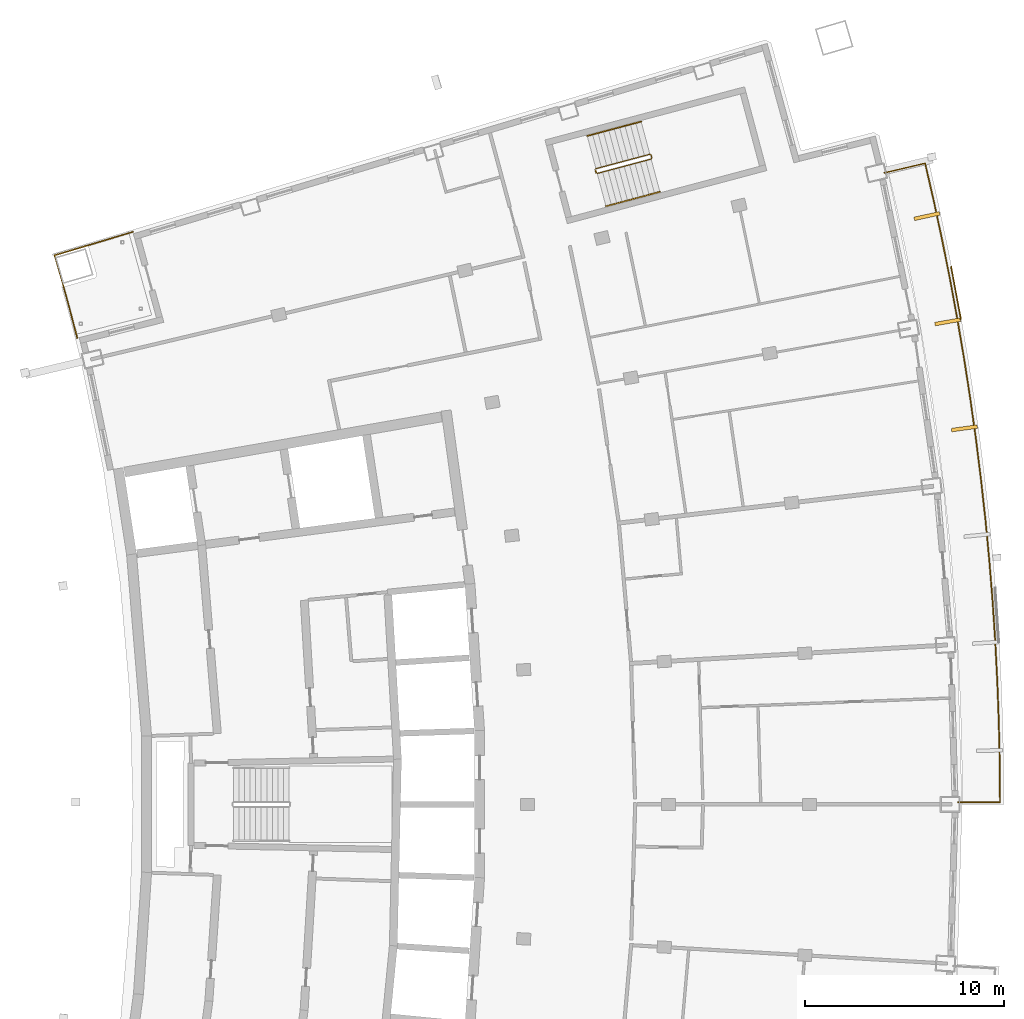
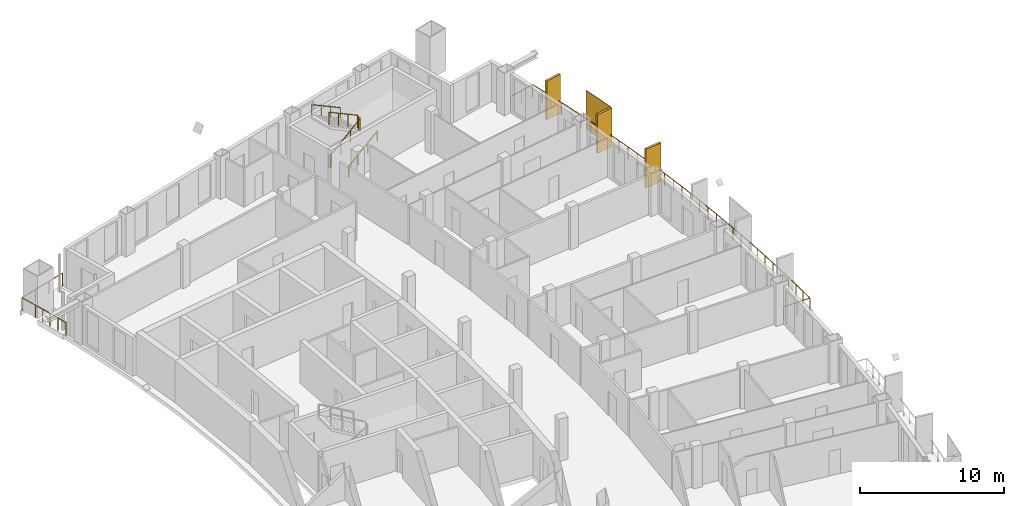
# One storey, part 15 of 15: 5 railings, 4 shading devices.
"""IFC4 building model written with IfcOpenShell, lengths in metres."""

import ifcopenshell
import ifcopenshell.guid

model = None  # the IFC model being written
_history = None  # IfcOwnerHistory: only IFC2X3 demands one
_inside = {}  # id of a spatial element -> (the spatial element, [elements in it])
_under = {}  # id of a project, library or spatial element -> (it, [spatial elements below it])
_declared = {}  # id of a project -> (the project, [libraries it declares])
_typed = {}  # id of a type object -> (the type object, [elements of that type])
_made_of = {}  # id of a material, layer set ... -> (it, [elements and type objects made of it])


def new_model(schema):
    """Start an empty IFC model of exactly this schema.

    Asked for "IFC4X3", IfcOpenShell would pick the latest addendum, in which some entities
    have other attributes; the version numbers below select the first issue.
    IFC2X3 requires an IfcOwnerHistory on every rooted entity: one is made here for all.
    """
    global model, _history
    if schema == "IFC4X3":
        model = ifcopenshell.file(schema_version=(4, 3, 0, 0))
    else:
        model = ifcopenshell.file(schema=schema)
    _inside.clear()
    _under.clear()
    _declared.clear()
    _typed.clear()
    _made_of.clear()
    _history = None
    if model.schema == "IFC2X3":
        org = make("IfcOrganization", Name="unknown")
        user = make(
            "IfcPersonAndOrganization",
            ThePerson=make("IfcPerson", FamilyName="unknown"),
            TheOrganization=org,
        )
        app = make(
            "IfcApplication",
            ApplicationDeveloper=org,
            Version="unknown",
            ApplicationFullName="unknown",
            ApplicationIdentifier="unknown",
        )
        _history = make(
            "IfcOwnerHistory",
            OwningUser=user,
            OwningApplication=app,
            ChangeAction="ADDED",
            CreationDate=0,
        )
    return model


def make(cls, **values):
    """One entity of the class cls with the attributes given. An attribute that is None is left unset."""
    return model.create_entity(
        cls, **{name: value for name, value in values.items() if value is not None}
    )


def rooted(cls, **values):
    """An entity with a GlobalId (a new one), such as an element, a storey or a relation."""
    return make(cls, GlobalId=ifcopenshell.guid.new(), OwnerHistory=_history, **values)


def si_unit(unit_type, name, prefix=None):
    """IfcSIUnit, for example si_unit("LENGTHUNIT", "METRE", prefix="MILLI")."""
    return make("IfcSIUnit", UnitType=unit_type, Prefix=prefix, Name=name)


def assignment(units):
    """IfcUnitAssignment: the units of a project."""
    return None if units is None else make("IfcUnitAssignment", Units=units)


def point(xyz):
    """IfcCartesianPoint."""
    return None if xyz is None else make("IfcCartesianPoint", Coordinates=xyz)


def direction(xyz):
    """IfcDirection."""
    return None if xyz is None else make("IfcDirection", DirectionRatios=xyz)


def frame(location, z_axis=None, x_axis=None):
    """IfcAxis2Placement3D, a coordinate frame: its origin and axes. An axis left out is left unset."""
    return make(
        "IfcAxis2Placement3D",
        Location=point(location),
        Axis=direction(z_axis),
        RefDirection=direction(x_axis),
    )


def frame_2d(location, x_axis=None):
    """IfcAxis2Placement2D, a coordinate frame in the plane: its origin and x axis."""
    return make(
        "IfcAxis2Placement2D", Location=point(location), RefDirection=direction(x_axis)
    )


def origin():
    """The frame at (0, 0, 0) with its axes left unset."""
    return frame((0.0, 0.0, 0.0))


def origin_2d():
    """The frame at (0, 0) in the plane with its x axis left unset."""
    return frame_2d((0.0, 0.0))


def place(relative_to, where):
    """IfcLocalPlacement: puts the frame where relative to a parent placement (None: the world)."""
    return make(
        "IfcLocalPlacement", PlacementRelTo=relative_to, RelativePlacement=where
    )


def context(
    kind, dimensions, precision=None, world=None, true_north=None, identifier=None
):
    """IfcGeometricRepresentationContext, for example the 3D "Model" context."""
    return make(
        "IfcGeometricRepresentationContext",
        ContextIdentifier=identifier,
        ContextType=kind,
        CoordinateSpaceDimension=dimensions,
        Precision=precision,
        WorldCoordinateSystem=world,
        TrueNorth=true_north,
    )


def subcontext(parent, identifier, kind, view, scale=None):
    """IfcGeometricRepresentationSubContext, for example "Body" below "Model"."""
    return make(
        "IfcGeometricRepresentationSubContext",
        ContextIdentifier=identifier,
        ContextType=kind,
        ParentContext=parent,
        TargetScale=scale,
        TargetView=view,
    )


def project(units=None, contexts=None):
    """IfcProject with its units and contexts."""
    return rooted(
        "IfcProject",
        Name="project",
        RepresentationContexts=contexts,
        UnitsInContext=assignment(units),
    )


def spatial(cls, under=None, at=None, **own):
    """A site, building, storey or space (cls), placed at a placement, below another one or the project."""
    s = rooted(cls, ObjectPlacement=at, **own)
    if under is not None:
        _under.setdefault(under.id(), (under, []))[1].append(s)
    return s


def profile(cls, at=None, kind="AREA", **sizes):
    """A parametric profile (cls). Its sizes go by their IFC names, for example OverallWidth=200.0."""
    return make(cls, ProfileType=kind, Position=at, **sizes)


def rectangle(**sizes):
    """IfcRectangleProfileDef."""
    return profile("IfcRectangleProfileDef", **sizes)


def extrude(swept, where, along, depth):
    """IfcExtrudedAreaSolid: the profile swept, set in the frame where, extruded along a direction by depth."""
    return make(
        "IfcExtrudedAreaSolid",
        SweptArea=swept,
        Position=where,
        ExtrudedDirection=direction(along),
        Depth=depth,
    )


def shape(context_of_items, identifier, shape_type, items):
    """IfcShapeRepresentation: the items that make up one representation, for example the "Body"."""
    return make(
        "IfcShapeRepresentation",
        ContextOfItems=context_of_items,
        RepresentationIdentifier=identifier,
        RepresentationType=shape_type,
        Items=items,
    )


def material(Name=None, Category=None):
    """IfcMaterial."""
    return make("IfcMaterial", Name=Name, Category=Category)


def layer(
    of_material, thickness, ventilated=None, Name=None, Category=None, Priority=None
):
    """IfcMaterialLayer: one layer of a wall or slab, of a material (None: an air gap)."""
    return make(
        "IfcMaterialLayer",
        Material=of_material,
        LayerThickness=thickness,
        IsVentilated=ventilated,
        Name=Name,
        Category=Category,
        Priority=Priority,
    )


def layer_set(layers, Name=None):
    """IfcMaterialLayerSet."""
    return make("IfcMaterialLayerSet", MaterialLayers=layers, LayerSetName=Name)


def made_of(thing, what):
    """Note that an element or type object is made of a material, layer set ...; save() writes the relation."""
    if what is not None:
        _made_of.setdefault(what.id(), (what, []))[1].append(thing)
    return thing


def type_object(cls, material=None, **own):
    """A type object (cls), such as IfcWallType, which elements share."""
    return made_of(rooted(cls, **own), material)


def element(
    cls,
    number,
    at=None,
    inside=None,
    cuts=None,
    type_object=None,
    material=None,
    context=None,
    identifier="Body",
    shape_type=None,
    held_by="IfcProductDefinitionShape",
    body=None,
    shapes=None,
    **own,
):
    """One element of the class cls, such as IfcWall. Its Tag is "e" and its number.

    at: its placement. inside: the storey or other place that contains it. cuts: it is an
    opening in that element (IfcRelVoidsElement). A single representation is given by context,
    identifier, shape_type and body (its items); several are given by shapes. held_by: the class
    of the entity that holds the representations. save() writes the other relations.
    """
    e = rooted(cls, Tag="e%d" % number, ObjectPlacement=at, **own)
    if body is not None:
        shapes = [shape(context, identifier, shape_type, body)]
    if shapes is not None:
        e.Representation = make(held_by, Representations=shapes)
    if inside is not None:
        _inside.setdefault(inside.id(), (inside, []))[1].append(e)
    if cuts is not None:
        rooted(
            "IfcRelVoidsElement", RelatingBuildingElement=cuts, RelatedOpeningElement=e
        )
    if type_object is not None:
        _typed.setdefault(type_object.id(), (type_object, []))[1].append(e)
    return made_of(e, material)


def aggregate(whole, parts):
    """IfcRelAggregates: a whole, such as a stair, and the parts it consists of."""
    return rooted("IfcRelAggregates", RelatingObject=whole, RelatedObjects=parts)


def save(model, path):
    """Write the relations noted so far, then the file.

    IfcRelAggregates (storeys below a building ...), IfcRelContainedInSpatialStructure (elements
    in a storey), IfcRelDefinesByType, IfcRelAssociatesMaterial and IfcRelDeclares: one each for
    every whole, place, type object, material and project.
    """
    for whole, parts in _under.values():
        aggregate(whole, parts)
    for where, things in _inside.values():
        rooted(
            "IfcRelContainedInSpatialStructure",
            RelatedElements=things,
            RelatingStructure=where,
        )
    for kind, things in _typed.values():
        rooted("IfcRelDefinesByType", RelatedObjects=things, RelatingType=kind)
    for what, things in _made_of.values():
        rooted("IfcRelAssociatesMaterial", RelatedObjects=things, RelatingMaterial=what)
    for by, libraries in _declared.values():
        rooted("IfcRelDeclares", RelatingContext=by, RelatedDefinitions=libraries)
    model.write(path)


model = new_model("IFC4")

# Units and contexts
model_context = context("Model", 3, precision=1e-05, world=origin(), true_north=direction((0.0, 1.0)))
body_context = subcontext(model_context, "Body", "Model", "MODEL_VIEW")
ifc_project = project(units=[si_unit("LENGTHUNIT", "METRE"), si_unit("AREAUNIT", "SQUARE_METRE"), si_unit("VOLUMEUNIT", "CUBIC_METRE"), si_unit("PLANEANGLEUNIT", "RADIAN"), si_unit("MASSUNIT", "GRAM", prefix="KILO")], contexts=[model_context])

# Site, building, storey
site_placement = place(None, origin())
site = spatial("IfcSite", under=ifc_project, at=site_placement, CompositionType="ELEMENT")
building_placement = place(site_placement, origin())
building = spatial("IfcBuilding", under=site, at=building_placement, Name="Alderwake Tower", CompositionType="ELEMENT")
storey_placement = place(building_placement, frame((0.0, 0.0, 252.800048828125)))
storey = spatial("IfcBuildingStorey", under=building, at=storey_placement, Name="L62", CompositionType="ELEMENT", Elevation=252.800048828125)

# Railings
ifc_material_1 = material(Name="Stainless steel 316 rail and posts", Category="steel")
railing_type_1 = type_object("IfcRailingType", Name="Balcony guard 1100", PredefinedType="GUARDRAIL", material=ifc_material_1)
railing_1_placement = place(storey_placement, frame((57.39990234375, 61.098388671875, 0.0)))
element("IfcRailing", 1, at=railing_1_placement, inside=storey, type_object=railing_type_1, Name="Guard BF07", PredefinedType="GUARDRAIL", context=body_context, shape_type="SweptSolid", body=[
    extrude(rectangle(XDim=0.048095703125, YDim=0.048095703125, at=origin_2d()), frame((0.0, 0.0, 1.076171875), z_axis=(0.999999668894, 0.000813763971, 0.0), x_axis=(-0.000813763971, 0.999999668894, 0.0)), (0.0, 0.0, 1.0), 2.10009765625),
    extrude(rectangle(XDim=0.048095703125, YDim=0.048095703125, at=origin_2d()), frame((2.10009765625, 0.001708984375, 1.076171875), z_axis=(-0.007699847475, 0.999970355735, 0.0), x_axis=(-0.999970355735, -0.007699847475, 0.0)), (0.0, 0.0, 1.0), 1.93408203125),
    extrude(rectangle(XDim=0.048095703125, YDim=0.048095703125, at=origin_2d()), frame((2.085205078125, 1.935791015625, 1.076171875), z_axis=(-0.021840905717, 0.999761458968, 0.0), x_axis=(-0.999761458968, -0.021840905717, 0.0)), (0.0, 0.0, 1.0), 2.034423828125),
    extrude(rectangle(XDim=0.048095703125, YDim=0.048095703125, at=origin_2d()), frame((2.040771484375, 3.9697265625, 1.076171875), z_axis=(-0.036479066148, 0.999334417366, 0.0), x_axis=(-0.999334417366, -0.036479066148, 0.0)), (0.0, 0.0, 1.0), 2.03466796875),
    extrude(rectangle(XDim=0.048095703125, YDim=0.048095703125, at=origin_2d()), frame((1.966552734375, 6.0029296875, 1.076171875), z_axis=(-0.05100910108, 0.998698188447, 0.0), x_axis=(-0.998698188447, -0.05100910108, 0.0)), (0.0, 0.0, 1.0), 2.0341796875),
    extrude(rectangle(XDim=0.048095703125, YDim=0.048095703125, at=origin_2d()), frame((1.86279296875, 8.034423828125, 1.076171875), z_axis=(-0.065523351264, 0.997851036197, 0.0), x_axis=(-0.997851036197, -0.065523351264, 0.0)), (0.0, 0.0, 1.0), 2.034423828125),
    extrude(rectangle(XDim=0.048095703125, YDim=0.048095703125, at=origin_2d()), frame((1.7294921875, 10.064453125, 1.076171875), z_axis=(-0.080164954989, 0.996781610982, 0.0), x_axis=(-0.996781610982, -0.080164954989, 0.0)), (0.0, 0.0, 1.0), 2.034423828125),
    extrude(rectangle(XDim=0.048095703125, YDim=0.048095703125, at=origin_2d()), frame((1.56640625, 12.09228515625, 1.076171875), z_axis=(-0.094690157844, 0.995506792547, 0.0), x_axis=(-0.995506792547, -0.094690157844, 0.0)), (0.0, 0.0, 1.0), 2.0341796875),
    extrude(rectangle(XDim=0.048095703125, YDim=0.048095703125, at=origin_2d()), frame((1.373779296875, 14.117431640625, 1.076171875), z_axis=(-0.109087913088, 0.994032105728, 0.0), x_axis=(-0.994032105728, -0.109087913088, 0.0)), (0.0, 0.0, 1.0), 2.034423828125),
    extrude(rectangle(XDim=0.048095703125, YDim=0.048095703125, at=origin_2d()), frame((1.15185546875, 16.1396484375, 1.076171875), z_axis=(-0.123606393187, 0.992331325497, 0.0), x_axis=(-0.992331325497, -0.123606393187, 0.0)), (0.0, 0.0, 1.0), 2.034423828125),
    extrude(rectangle(XDim=0.048095703125, YDim=0.048095703125, at=origin_2d()), frame((0.900390625, 18.158447265625, 1.076171875), z_axis=(-0.138127592806, 0.990414442597, 0.0), x_axis=(-0.990414442597, -0.138127592806, 0.0)), (0.0, 0.0, 1.0), 2.034423828125),
    extrude(rectangle(XDim=0.048095703125, YDim=0.048095703125, at=origin_2d()), frame((0.619384765625, 20.17333984375, 1.076171875), z_axis=(-0.152535132968, 0.988298048774, 0.0), x_axis=(-0.988298048774, -0.152535132968, 0.0)), (0.0, 0.0, 1.0), 2.034423828125),
    extrude(rectangle(XDim=0.048095703125, YDim=0.048095703125, at=origin_2d()), frame((0.30908203125, 22.183837890625, 1.076171875), z_axis=(-0.166928302152, 0.985969037009, 0.0), x_axis=(-0.985969037009, -0.166928302152, 0.0)), (0.0, 0.0, 1.0), 2.034423828125),
    extrude(rectangle(XDim=0.048095703125, YDim=0.048095703125, at=origin_2d()), frame((-0.030517578125, 24.189697265625, 1.076171875), z_axis=(-0.181324306286, 0.983423355402, 0.0), x_axis=(-0.983423355402, -0.181324306286, 0.0)), (0.0, 0.0, 1.0), 2.034423828125),
    extrude(rectangle(XDim=0.048095703125, YDim=0.048095703125, at=origin_2d()), frame((-0.3994140625, 26.1904296875, 1.076171875), z_axis=(-0.195631417955, 0.980677494546, 0.0), x_axis=(-0.980677494546, -0.195631417955, 0.0)), (0.0, 0.0, 1.0), 2.0341796875),
    extrude(rectangle(XDim=0.048095703125, YDim=0.048095703125, at=origin_2d()), frame((-0.79736328125, 28.185302734375, 1.076171875), z_axis=(-0.209897885741, 0.977723313398, 0.0), x_axis=(-0.977723313398, -0.209897885741, 0.0)), (0.0, 0.0, 1.0), 2.034423828125),
    extrude(rectangle(XDim=0.048095703125, YDim=0.048095703125, at=origin_2d()), frame((-1.224365234375, 30.17431640625, 1.076171875), z_axis=(-0.223633448533, 0.974673319988, 0.0), x_axis=(-0.974673319988, -0.223633448533, 0.0)), (0.0, 0.0, 1.0), 1.9345703125),
    extrude(rectangle(XDim=0.048095703125, YDim=0.048095703125, at=origin_2d()), frame((-1.656982421875, 32.059814453125, 1.076171875), z_axis=(-0.973069996158, -0.230509831846, 0.0), x_axis=(0.230509831846, -0.973069996158, 0.0)), (0.0, 0.0, 1.0), 2.100341796875),
    extrude(rectangle(XDim=0.0419921875, YDim=0.0419921875, at=origin_2d()), frame((0.0, 0.0, 0.0), z_axis=(0.0, 0.0, 1.0), x_axis=(0.999999668894, 0.000813763971, 0.0)), (0.0, 0.0, 1.0), 1.052001953125),
    extrude(rectangle(XDim=0.0419921875, YDim=0.0419921875, at=origin_2d()), frame((1.050048828125, 0.0009765625, 0.0), z_axis=(0.0, 0.0, 1.0), x_axis=(0.999999668894, 0.000813763971, 0.0)), (0.0, 0.0, 1.0), 1.052001953125),
    extrude(rectangle(XDim=0.0419921875, YDim=0.0419921875, at=origin_2d()), frame((2.10009765625, 0.001708984375, 0.0), z_axis=(0.0, 0.0, 1.0), x_axis=(-0.007699847475, 0.999970355735, 0.0)), (0.0, 0.0, 1.0), 1.052001953125),
    extrude(rectangle(XDim=0.0419921875, YDim=0.0419921875, at=origin_2d()), frame((2.0927734375, 0.96875, 0.0), z_axis=(0.0, 0.0, 1.0), x_axis=(-0.007699847475, 0.999970355735, 0.0)), (0.0, 0.0, 1.0), 1.052001953125),
    extrude(rectangle(XDim=0.0419921875, YDim=0.0419921875, at=origin_2d()), frame((2.085205078125, 1.935791015625, 0.0), z_axis=(0.0, 0.0, 1.0), x_axis=(-0.021840905717, 0.999761458968, 0.0)), (0.0, 0.0, 1.0), 1.052001953125),
    extrude(rectangle(XDim=0.0419921875, YDim=0.0419921875, at=origin_2d()), frame((2.06298828125, 2.95263671875, 0.0), z_axis=(0.0, 0.0, 1.0), x_axis=(-0.021840905717, 0.999761458968, 0.0)), (0.0, 0.0, 1.0), 1.052001953125),
    extrude(rectangle(XDim=0.0419921875, YDim=0.0419921875, at=origin_2d()), frame((2.040771484375, 3.9697265625, 0.0), z_axis=(0.0, 0.0, 1.0), x_axis=(-0.036479066148, 0.999334417366, 0.0)), (0.0, 0.0, 1.0), 1.052001953125),
    extrude(rectangle(XDim=0.0419921875, YDim=0.0419921875, at=origin_2d()), frame((2.003662109375, 4.986328125, 0.0), z_axis=(0.0, 0.0, 1.0), x_axis=(-0.036479066148, 0.999334417366, 0.0)), (0.0, 0.0, 1.0), 1.052001953125),
    extrude(rectangle(XDim=0.0419921875, YDim=0.0419921875, at=origin_2d()), frame((1.966552734375, 6.0029296875, 0.0), z_axis=(0.0, 0.0, 1.0), x_axis=(-0.05100910108, 0.998698188447, 0.0)), (0.0, 0.0, 1.0), 1.052001953125),
    extrude(rectangle(XDim=0.0419921875, YDim=0.0419921875, at=origin_2d()), frame((1.91455078125, 7.0185546875, 0.0), z_axis=(0.0, 0.0, 1.0), x_axis=(-0.05100910108, 0.998698188447, 0.0)), (0.0, 0.0, 1.0), 1.052001953125),
    extrude(rectangle(XDim=0.0419921875, YDim=0.0419921875, at=origin_2d()), frame((1.86279296875, 8.034423828125, 0.0), z_axis=(0.0, 0.0, 1.0), x_axis=(-0.065523351264, 0.997851036197, 0.0)), (0.0, 0.0, 1.0), 1.052001953125),
    extrude(rectangle(XDim=0.0419921875, YDim=0.0419921875, at=origin_2d()), frame((1.796142578125, 9.04931640625, 0.0), z_axis=(0.0, 0.0, 1.0), x_axis=(-0.065523351264, 0.997851036197, 0.0)), (0.0, 0.0, 1.0), 1.052001953125),
    extrude(rectangle(XDim=0.0419921875, YDim=0.0419921875, at=origin_2d()), frame((1.7294921875, 10.064453125, 0.0), z_axis=(0.0, 0.0, 1.0), x_axis=(-0.080164954989, 0.996781610982, 0.0)), (0.0, 0.0, 1.0), 1.052001953125),
    extrude(rectangle(XDim=0.0419921875, YDim=0.0419921875, at=origin_2d()), frame((1.64794921875, 11.078369140625, 0.0), z_axis=(0.0, 0.0, 1.0), x_axis=(-0.080164954989, 0.996781610982, 0.0)), (0.0, 0.0, 1.0), 1.052001953125),
    extrude(rectangle(XDim=0.0419921875, YDim=0.0419921875, at=origin_2d()), frame((1.56640625, 12.09228515625, 0.0), z_axis=(0.0, 0.0, 1.0), x_axis=(-0.094690157844, 0.995506792547, 0.0)), (0.0, 0.0, 1.0), 1.052001953125),
    extrude(rectangle(XDim=0.0419921875, YDim=0.0419921875, at=origin_2d()), frame((1.47021484375, 13.10498046875, 0.0), z_axis=(0.0, 0.0, 1.0), x_axis=(-0.094690157844, 0.995506792547, 0.0)), (0.0, 0.0, 1.0), 1.052001953125),
    extrude(rectangle(XDim=0.0419921875, YDim=0.0419921875, at=origin_2d()), frame((1.373779296875, 14.117431640625, 0.0), z_axis=(0.0, 0.0, 1.0), x_axis=(-0.109087913088, 0.994032105728, 0.0)), (0.0, 0.0, 1.0), 1.052001953125),
    extrude(rectangle(XDim=0.0419921875, YDim=0.0419921875, at=origin_2d()), frame((1.2626953125, 15.12841796875, 0.0), z_axis=(0.0, 0.0, 1.0), x_axis=(-0.109087913088, 0.994032105728, 0.0)), (0.0, 0.0, 1.0), 1.052001953125),
    extrude(rectangle(XDim=0.0419921875, YDim=0.0419921875, at=origin_2d()), frame((1.15185546875, 16.1396484375, 0.0), z_axis=(0.0, 0.0, 1.0), x_axis=(-0.123606393187, 0.992331325497, 0.0)), (0.0, 0.0, 1.0), 1.052001953125),
    extrude(rectangle(XDim=0.0419921875, YDim=0.0419921875, at=origin_2d()), frame((1.026123046875, 17.14892578125, 0.0), z_axis=(0.0, 0.0, 1.0), x_axis=(-0.123606393187, 0.992331325497, 0.0)), (0.0, 0.0, 1.0), 1.052001953125),
    extrude(rectangle(XDim=0.0419921875, YDim=0.0419921875, at=origin_2d()), frame((0.900390625, 18.158447265625, 0.0), z_axis=(0.0, 0.0, 1.0), x_axis=(-0.138127592806, 0.990414442597, 0.0)), (0.0, 0.0, 1.0), 1.052001953125),
    extrude(rectangle(XDim=0.0419921875, YDim=0.0419921875, at=origin_2d()), frame((0.759765625, 19.166015625, 0.0), z_axis=(0.0, 0.0, 1.0), x_axis=(-0.138127592806, 0.990414442597, 0.0)), (0.0, 0.0, 1.0), 1.052001953125),
    extrude(rectangle(XDim=0.0419921875, YDim=0.0419921875, at=origin_2d()), frame((0.619384765625, 20.17333984375, 0.0), z_axis=(0.0, 0.0, 1.0), x_axis=(-0.152535132968, 0.988298048774, 0.0)), (0.0, 0.0, 1.0), 1.052001953125),
    extrude(rectangle(XDim=0.0419921875, YDim=0.0419921875, at=origin_2d()), frame((0.46435546875, 21.1787109375, 0.0), z_axis=(0.0, 0.0, 1.0), x_axis=(-0.152535132968, 0.988298048774, 0.0)), (0.0, 0.0, 1.0), 1.052001953125),
    extrude(rectangle(XDim=0.0419921875, YDim=0.0419921875, at=origin_2d()), frame((0.30908203125, 22.183837890625, 0.0), z_axis=(0.0, 0.0, 1.0), x_axis=(-0.166928302152, 0.985969037009, 0.0)), (0.0, 0.0, 1.0), 1.052001953125),
    extrude(rectangle(XDim=0.0419921875, YDim=0.0419921875, at=origin_2d()), frame((0.13916015625, 23.186767578125, 0.0), z_axis=(0.0, 0.0, 1.0), x_axis=(-0.166928302152, 0.985969037009, 0.0)), (0.0, 0.0, 1.0), 1.052001953125),
    extrude(rectangle(XDim=0.0419921875, YDim=0.0419921875, at=origin_2d()), frame((-0.030517578125, 24.189697265625, 0.0), z_axis=(0.0, 0.0, 1.0), x_axis=(-0.181324306286, 0.983423355402, 0.0)), (0.0, 0.0, 1.0), 1.052001953125),
    extrude(rectangle(XDim=0.0419921875, YDim=0.0419921875, at=origin_2d()), frame((-0.21484375, 25.18994140625, 0.0), z_axis=(0.0, 0.0, 1.0), x_axis=(-0.181324306286, 0.983423355402, 0.0)), (0.0, 0.0, 1.0), 1.052001953125),
    extrude(rectangle(XDim=0.0419921875, YDim=0.0419921875, at=origin_2d()), frame((-0.3994140625, 26.1904296875, 0.0), z_axis=(0.0, 0.0, 1.0), x_axis=(-0.195631417955, 0.980677494546, 0.0)), (0.0, 0.0, 1.0), 1.052001953125),
    extrude(rectangle(XDim=0.0419921875, YDim=0.0419921875, at=origin_2d()), frame((-0.598388671875, 27.18798828125, 0.0), z_axis=(0.0, 0.0, 1.0), x_axis=(-0.195631417955, 0.980677494546, 0.0)), (0.0, 0.0, 1.0), 1.052001953125),
    extrude(rectangle(XDim=0.0419921875, YDim=0.0419921875, at=origin_2d()), frame((-0.79736328125, 28.185302734375, 0.0), z_axis=(0.0, 0.0, 1.0), x_axis=(-0.209897885741, 0.977723313398, 0.0)), (0.0, 0.0, 1.0), 1.052001953125),
    extrude(rectangle(XDim=0.0419921875, YDim=0.0419921875, at=origin_2d()), frame((-1.0107421875, 29.1796875, 0.0), z_axis=(0.0, 0.0, 1.0), x_axis=(-0.209897885741, 0.977723313398, 0.0)), (0.0, 0.0, 1.0), 1.052001953125),
    extrude(rectangle(XDim=0.0419921875, YDim=0.0419921875, at=origin_2d()), frame((-1.224365234375, 30.17431640625, 0.0), z_axis=(0.0, 0.0, 1.0), x_axis=(-0.223633448533, 0.974673319988, 0.0)), (0.0, 0.0, 1.0), 1.052001953125),
    extrude(rectangle(XDim=0.0419921875, YDim=0.0419921875, at=origin_2d()), frame((-1.440673828125, 31.1171875, 0.0), z_axis=(0.0, 0.0, 1.0), x_axis=(-0.223633448533, 0.974673319988, 0.0)), (0.0, 0.0, 1.0), 1.052001953125),
    extrude(rectangle(XDim=0.0419921875, YDim=0.0419921875, at=origin_2d()), frame((-1.656982421875, 32.059814453125, 0.0), z_axis=(0.0, 0.0, 1.0), x_axis=(-0.973069996158, -0.230509831846, 0.0)), (0.0, 0.0, 1.0), 1.052001953125),
    extrude(rectangle(XDim=0.0419921875, YDim=0.0419921875, at=origin_2d()), frame((-2.6787109375, 31.81787109375, 0.0), z_axis=(0.0, 0.0, 1.0), x_axis=(-0.973069996158, -0.230509831846, 0.0)), (0.0, 0.0, 1.0), 1.052001953125),
    extrude(rectangle(XDim=0.0419921875, YDim=0.0419921875, at=origin_2d()), frame((-3.70068359375, 31.57568359375, 0.0), z_axis=(0.0, 0.0, 1.0), x_axis=(-0.973069996158, -0.230509831846, 0.0)), (0.0, 0.0, 1.0), 1.052001953125),
])
railing_2_placement = place(storey_placement, frame((13.210693359375, 84.387451171875, 0.0)))
element("IfcRailing", 2, at=railing_2_placement, inside=storey, type_object=railing_type_1, Name="Guard terrace RN", PredefinedType="GUARDRAIL", context=body_context, shape_type="SweptSolid", body=[
    extrude(rectangle(XDim=0.048095703125, YDim=0.048095703125, at=origin_2d()), frame((0.0, 0.0, 1.076171875), z_axis=(-0.251385381433, 0.967887075026, 0.0), x_axis=(-0.967887075026, -0.251385381433, 0.0)), (0.0, 0.0, 1.0), 1.6015625),
    extrude(rectangle(XDim=0.048095703125, YDim=0.048095703125, at=origin_2d()), frame((-0.402587890625, 1.550048828125, 1.076171875), z_axis=(-0.266520638672, 0.963829211615, 0.0), x_axis=(-0.963829211615, -0.266520638672, 0.0)), (0.0, 0.0, 1.0), 1.401611328125),
    extrude(rectangle(XDim=0.048095703125, YDim=0.048095703125, at=origin_2d()), frame((-0.776123046875, 2.90087890625, 1.076171875), z_axis=(-0.280093650878, 0.959972680204, 0.0), x_axis=(-0.959972680204, -0.280093650878, 0.0)), (0.0, 0.0, 1.0), 1.30126953125),
    extrude(rectangle(XDim=0.048095703125, YDim=0.048095703125, at=origin_2d()), frame((-1.140625, 4.150146484375, 1.076171875), z_axis=(0.958066871889, 0.286544706789, 0.0), x_axis=(-0.286544706789, 0.958066871889, 0.0)), (0.0, 0.0, 1.0), 4.099853515625),
    extrude(rectangle(XDim=0.0419921875, YDim=0.0419921875, at=origin_2d()), frame((0.0, 0.0, 0.0), z_axis=(0.0, 0.0, 1.0), x_axis=(-0.251385381433, 0.967887075026, 0.0)), (0.0, 0.0, 1.0), 1.052001953125),
    extrude(rectangle(XDim=0.0419921875, YDim=0.0419921875, at=origin_2d()), frame((-0.201171875, 0.77490234375, 0.0), z_axis=(0.0, 0.0, 1.0), x_axis=(-0.251385381433, 0.967887075026, 0.0)), (0.0, 0.0, 1.0), 1.052001953125),
    extrude(rectangle(XDim=0.0419921875, YDim=0.0419921875, at=origin_2d()), frame((-0.402587890625, 1.550048828125, 0.0), z_axis=(0.0, 0.0, 1.0), x_axis=(-0.266520638672, 0.963829211615, 0.0)), (0.0, 0.0, 1.0), 1.052001953125),
    extrude(rectangle(XDim=0.0419921875, YDim=0.0419921875, at=origin_2d()), frame((-0.58935546875, 2.2255859375, 0.0), z_axis=(0.0, 0.0, 1.0), x_axis=(-0.266520638672, 0.963829211615, 0.0)), (0.0, 0.0, 1.0), 1.052001953125),
    extrude(rectangle(XDim=0.0419921875, YDim=0.0419921875, at=origin_2d()), frame((-0.776123046875, 2.90087890625, 0.0), z_axis=(0.0, 0.0, 1.0), x_axis=(-0.280093650878, 0.959972680204, 0.0)), (0.0, 0.0, 1.0), 1.052001953125),
    extrude(rectangle(XDim=0.0419921875, YDim=0.0419921875, at=origin_2d()), frame((-1.140625, 4.150146484375, 0.0), z_axis=(0.0, 0.0, 1.0), x_axis=(0.958066871889, 0.286544706789, 0.0)), (0.0, 0.0, 1.0), 1.052001953125),
    extrude(rectangle(XDim=0.0419921875, YDim=0.0419921875, at=origin_2d()), frame((0.168701171875, 4.541748046875, 0.0), z_axis=(0.0, 0.0, 1.0), x_axis=(0.958066871889, 0.286544706789, 0.0)), (0.0, 0.0, 1.0), 1.052001953125),
    extrude(rectangle(XDim=0.0419921875, YDim=0.0419921875, at=origin_2d()), frame((1.47802734375, 4.933349609375, 0.0), z_axis=(0.0, 0.0, 1.0), x_axis=(0.958066871889, 0.286544706789, 0.0)), (0.0, 0.0, 1.0), 1.052001953125),
    extrude(rectangle(XDim=0.0419921875, YDim=0.0419921875, at=origin_2d()), frame((2.787353515625, 5.324951171875, 0.0), z_axis=(0.0, 0.0, 1.0), x_axis=(0.958066871889, 0.286544706789, 0.0)), (0.0, 0.0, 1.0), 1.052001953125),
])

# Shading devices
ifc_material_2 = material(Name="Bronze anodised aluminium", Category="aluminium")
ifc_layer_1 = layer(ifc_material_2, 0.179931640625)
ifc_layer_set_1 = layer_set([ifc_layer_1], Name="Facade fin 1300")
shading_device_type_1 = type_object("IfcShadingDeviceType", Name="Facade fin 1300", PredefinedType="USERDEFINED", material=ifc_layer_set_1)
for number, where, z_axis, x_axis, name in (
    (3, (57.714599609375, 79.859619140625, 0.0), (0.0, 0.0, 1.0), (0.990752577235, 0.135680988728, 0.0), "Fin"),
    (4, (56.876953125, 85.200927734375, 0.0), (0.0, 0.0, 1.0), (0.984726421654, 0.174108800747, 0.0), "Fin"),
    (5, (55.832275390625, 90.505859375, 0.0), (0.0, 0.0, 1.0), (0.977210363881, 0.212273184185, 0.0), "Fin"),
):
    element("IfcShadingDevice", number, at=place(storey_placement, frame(where, z_axis=z_axis, x_axis=x_axis)), inside=storey, type_object=shading_device_type_1, Name=name, ObjectType="FIN", PredefinedType="USERDEFINED", context=body_context, shape_type="SweptSolid", body=[
        extrude(rectangle(XDim=1.300048828125, YDim=0.179931640625, at=origin_2d()), origin(), (0.0, 0.0, 1.0), 3.280029296875),
    ])
ifc_material_3 = material(Name="Perforated bronze anodised aluminium", Category="aluminium")
ifc_layer_2 = layer(ifc_material_3, 0.050048828125)
ifc_layer_set_2 = layer_set([ifc_layer_2], Name="Perforated screen panel")
shading_device_type_2 = type_object("IfcShadingDeviceType", Name="Perforated screen panel", PredefinedType="USERDEFINED", material=ifc_layer_set_2)
shading_device_placement = place(storey_placement, frame((57.29296875, 86.650390625, 0.0), z_axis=(0.0, 0.0, 1.0), x_axis=(0.982991488043, 0.183651121519, 0.0)))
element("IfcShadingDevice", 6, at=shading_device_placement, inside=storey, type_object=shading_device_type_2, Name="Screen panel", ObjectType="SCREEN", PredefinedType="USERDEFINED", context=body_context, shape_type="SweptSolid", body=[
    extrude(rectangle(XDim=0.050048828125, YDim=2.709716796875, at=origin_2d()), origin(), (0.0, 0.0, 1.0), 3.280029296875),
])

# Railings
ifc_material_4 = material(Name="Stainless steel guard", Category="steel")
railing_type_2 = type_object("IfcRailingType", Name="Stair guard 1100", PredefinedType="GUARDRAIL", material=ifc_material_4)
railing_3_placement = place(storey_placement, frame((39.23291015625, 92.6806640625, 0.0)))
element("IfcRailing", 7, at=railing_3_placement, inside=storey, type_object=railing_type_2, Name="L62 ST-A stair guard 1", PredefinedType="GUARDRAIL", context=body_context, shape_type="SweptSolid", body=[
    extrude(rectangle(XDim=0.048095703125, YDim=0.048095703125, at=origin_2d()), frame((0.0, 0.0, 1.076171875), z_axis=(-0.257055032184, 0.966396766566, 0.0), x_axis=(-0.966396766566, -0.257055032184, 0.0)), (0.0, 0.0, 1.0), 0.150146484375),
    extrude(rectangle(XDim=0.048095703125, YDim=0.048095703125, at=origin_2d()), frame((-0.03857421875, 0.14501953125, 1.076171875), z_axis=(0.379370725808, -0.685464465458, 0.621463047167), x_axis=(0.874937996095, 0.484234966715, 0.0)), (0.0, 0.0, 1.0), 0.26318359375),
    extrude(rectangle(XDim=0.048095703125, YDim=0.048095703125, at=origin_2d()), frame((0.061279296875, -0.035400390625, 1.23974609375), z_axis=(0.834258940753, 0.22222815314, 0.504605457487), x_axis=(-0.257402139082, 0.966304371715, 0.0)), (0.0, 0.0, 1.0), 3.2431640625),
    extrude(rectangle(XDim=0.048095703125, YDim=0.048095703125, at=origin_2d()), frame((2.766845703125, 0.685302734375, 2.8759765625), z_axis=(0.500220121494, 0.865898279276, 0.0), x_axis=(-0.865898279276, 0.500220121494, 0.0)), (0.0, 0.0, 1.0), 0.07080078125),
    extrude(rectangle(XDim=0.048095703125, YDim=0.048095703125, at=origin_2d()), frame((2.80224609375, 0.74658203125, 2.8759765625), z_axis=(-0.257459803502, 0.966289009345, 0.0), x_axis=(-0.966289009345, -0.257459803502, 0.0)), (0.0, 0.0, 1.0), 0.14990234375),
    extrude(rectangle(XDim=0.048095703125, YDim=0.048095703125, at=origin_2d()), frame((2.763671875, 0.891357421875, 2.8759765625), z_axis=(-0.34252489212, 0.200034536998, 0.917966710881), x_axis=(-0.504300490226, -0.863528236688, 0.0)), (0.0, 0.0, 1.0), 0.17822265625),
    extrude(rectangle(XDim=0.048095703125, YDim=0.048095703125, at=origin_2d()), frame((2.70263671875, 0.927001953125, 3.03955078125), z_axis=(-0.834313512087, -0.222222637163, 0.504517653885), x_axis=(0.257380452725, -0.966310148221, 0.0)), (0.0, 0.0, 1.0), 3.2431640625),
    extrude(rectangle(XDim=0.0419921875, YDim=0.0419921875, at=origin_2d()), frame((0.0, 0.0, 0.0), z_axis=(0.0, 0.0, 1.0), x_axis=(-0.257055032184, 0.966396766566, 0.0)), (0.0, 0.0, 1.0), 1.052001953125),
    extrude(rectangle(XDim=0.0419921875, YDim=0.0419921875, at=origin_2d()), frame((-0.03857421875, 0.14501953125, 0.0), z_axis=(0.0, 0.0, 1.0), x_axis=(0.484234966715, -0.874937996095, 0.0)), (0.0, 0.0, 1.0), 1.052001953125),
    extrude(rectangle(XDim=0.0419921875, YDim=0.0419921875, at=origin_2d()), frame((0.061279296875, -0.035400390625, 0.16357421875), z_axis=(0.0, 0.0, 1.0), x_axis=(0.966304371715, 0.257402139082, 0.0)), (0.0, 0.0, 1.0), 1.052001953125),
    extrude(rectangle(XDim=0.0419921875, YDim=0.0419921875, at=origin_2d()), frame((0.963134765625, 0.204833984375, 0.708984375), z_axis=(0.0, 0.0, 1.0), x_axis=(0.966304371715, 0.257402139082, 0.0)), (0.0, 0.0, 1.0), 1.052001953125),
    extrude(rectangle(XDim=0.0419921875, YDim=0.0419921875, at=origin_2d()), frame((1.864990234375, 0.445068359375, 1.254638671875), z_axis=(0.0, 0.0, 1.0), x_axis=(0.966304371715, 0.257402139082, 0.0)), (0.0, 0.0, 1.0), 1.052001953125),
    extrude(rectangle(XDim=0.0419921875, YDim=0.0419921875, at=origin_2d()), frame((2.766845703125, 0.685302734375, 1.800048828125), z_axis=(0.0, 0.0, 1.0), x_axis=(0.500220121494, 0.865898279276, 0.0)), (0.0, 0.0, 1.0), 1.052001953125),
    extrude(rectangle(XDim=0.0419921875, YDim=0.0419921875, at=origin_2d()), frame((2.80224609375, 0.74658203125, 1.800048828125), z_axis=(0.0, 0.0, 1.0), x_axis=(-0.257459803502, 0.966289009345, 0.0)), (0.0, 0.0, 1.0), 1.052001953125),
    extrude(rectangle(XDim=0.0419921875, YDim=0.0419921875, at=origin_2d()), frame((2.763671875, 0.891357421875, 1.800048828125), z_axis=(0.0, 0.0, 1.0), x_axis=(-0.863528236688, 0.504300490226, 0.0)), (0.0, 0.0, 1.0), 1.052001953125),
    extrude(rectangle(XDim=0.0419921875, YDim=0.0419921875, at=origin_2d()), frame((2.70263671875, 0.927001953125, 1.963623046875), z_axis=(0.0, 0.0, 1.0), x_axis=(-0.966310148221, -0.257380452725, 0.0)), (0.0, 0.0, 1.0), 1.052001953125),
    extrude(rectangle(XDim=0.0419921875, YDim=0.0419921875, at=origin_2d()), frame((1.80078125, 0.686767578125, 2.509033203125), z_axis=(0.0, 0.0, 1.0), x_axis=(-0.966310148221, -0.257380452725, 0.0)), (0.0, 0.0, 1.0), 1.052001953125),
    extrude(rectangle(XDim=0.0419921875, YDim=0.0419921875, at=origin_2d()), frame((0.898681640625, 0.446533203125, 3.054443359375), z_axis=(0.0, 0.0, 1.0), x_axis=(-0.966310148221, -0.257380452725, 0.0)), (0.0, 0.0, 1.0), 1.052001953125),
    extrude(rectangle(XDim=0.0419921875, YDim=0.0419921875, at=origin_2d()), frame((-0.003173828125, 0.206298828125, 3.599853515625), z_axis=(0.0, 0.0, 1.0), x_axis=(-0.966310148221, -0.257380452725, 0.0)), (0.0, 0.0, 1.0), 1.052001953125),
])
ifc_material_5 = material(Name="Stainless steel handrail", Category="steel")
railing_type_3 = type_object("IfcRailingType", Name="Stair handrail 900", PredefinedType="HANDRAIL", material=ifc_material_5)
railing_4_placement = place(storey_placement, frame((39.731689453125, 91.002685546875, 0.16357421875)))
element("IfcRailing", 8, at=railing_4_placement, inside=storey, type_object=railing_type_3, Name="L62 ST-A stair handrail 1", PredefinedType="HANDRAIL", context=body_context, shape_type="SweptSolid", body=[
    extrude(rectangle(XDim=0.048095703125, YDim=0.048095703125, at=origin_2d()), frame((0.0, 0.0, 0.8759765625), z_axis=(0.834258940753, 0.22222815314, 0.504605457487), x_axis=(-0.257402139082, 0.966304371715, 0.0)), (0.0, 0.0, 1.0), 3.2431640625),
    extrude(rectangle(XDim=0.0419921875, YDim=0.0419921875, at=origin_2d()), frame((0.0, 0.0, 0.0), z_axis=(0.0, 0.0, 1.0), x_axis=(0.966304371715, 0.257402139082, 0.0)), (0.0, 0.0, 1.0), 0.851806640625),
    extrude(rectangle(XDim=0.0419921875, YDim=0.0419921875, at=origin_2d()), frame((0.90185546875, 0.240234375, 0.54541015625), z_axis=(0.0, 0.0, 1.0), x_axis=(0.966304371715, 0.257402139082, 0.0)), (0.0, 0.0, 1.0), 0.851806640625),
    extrude(rectangle(XDim=0.0419921875, YDim=0.0419921875, at=origin_2d()), frame((1.8037109375, 0.48046875, 1.091064453125), z_axis=(0.0, 0.0, 1.0), x_axis=(0.966304371715, 0.257402139082, 0.0)), (0.0, 0.0, 1.0), 0.851806640625),
    extrude(rectangle(XDim=0.0419921875, YDim=0.0419921875, at=origin_2d()), frame((2.70556640625, 0.720703125, 1.636474609375), z_axis=(0.0, 0.0, 1.0), x_axis=(0.966304371715, 0.257402139082, 0.0)), (0.0, 0.0, 1.0), 0.851806640625),
])
railing_5_placement = place(storey_placement, frame((41.497802734375, 95.250244140625, 1.963623046875)))
element("IfcRailing", 9, at=railing_5_placement, inside=storey, type_object=railing_type_3, Name="L62 ST-A stair handrail 2", PredefinedType="HANDRAIL", context=body_context, shape_type="SweptSolid", body=[
    extrude(rectangle(XDim=0.048095703125, YDim=0.048095703125, at=origin_2d()), frame((0.0, 0.0, 0.8759765625), z_axis=(-0.834290631165, -0.222236594766, 0.504549342183), x_axis=(0.257402139082, -0.966304371715, 0.0)), (0.0, 0.0, 1.0), 3.242919921875),
    extrude(rectangle(XDim=0.0419921875, YDim=0.0419921875, at=origin_2d()), frame((0.0, 0.0, 0.0), z_axis=(0.0, 0.0, 1.0), x_axis=(-0.966304371715, -0.257402139082, 0.0)), (0.0, 0.0, 1.0), 0.851806640625),
    extrude(rectangle(XDim=0.0419921875, YDim=0.0419921875, at=origin_2d()), frame((-0.90185546875, -0.240234375, 0.54541015625), z_axis=(0.0, 0.0, 1.0), x_axis=(-0.966304371715, -0.257402139082, 0.0)), (0.0, 0.0, 1.0), 0.851806640625),
    extrude(rectangle(XDim=0.0419921875, YDim=0.0419921875, at=origin_2d()), frame((-1.8037109375, -0.48046875, 1.0908203125), z_axis=(0.0, 0.0, 1.0), x_axis=(-0.966304371715, -0.257402139082, 0.0)), (0.0, 0.0, 1.0), 0.851806640625),
    extrude(rectangle(XDim=0.0419921875, YDim=0.0419921875, at=origin_2d()), frame((-2.70556640625, -0.720703125, 1.63623046875), z_axis=(0.0, 0.0, 1.0), x_axis=(-0.966304371715, -0.257402139082, 0.0)), (0.0, 0.0, 1.0), 0.851806640625),
])

save(model, "model.ifc")
